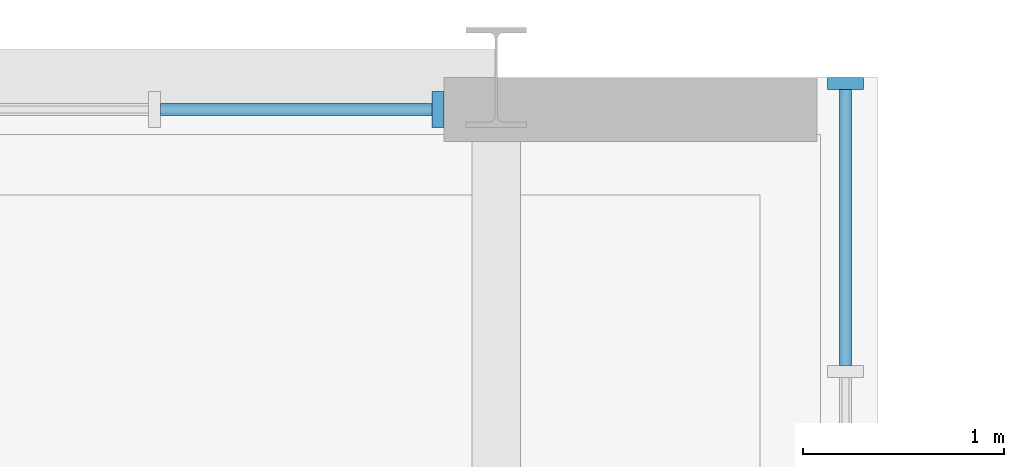
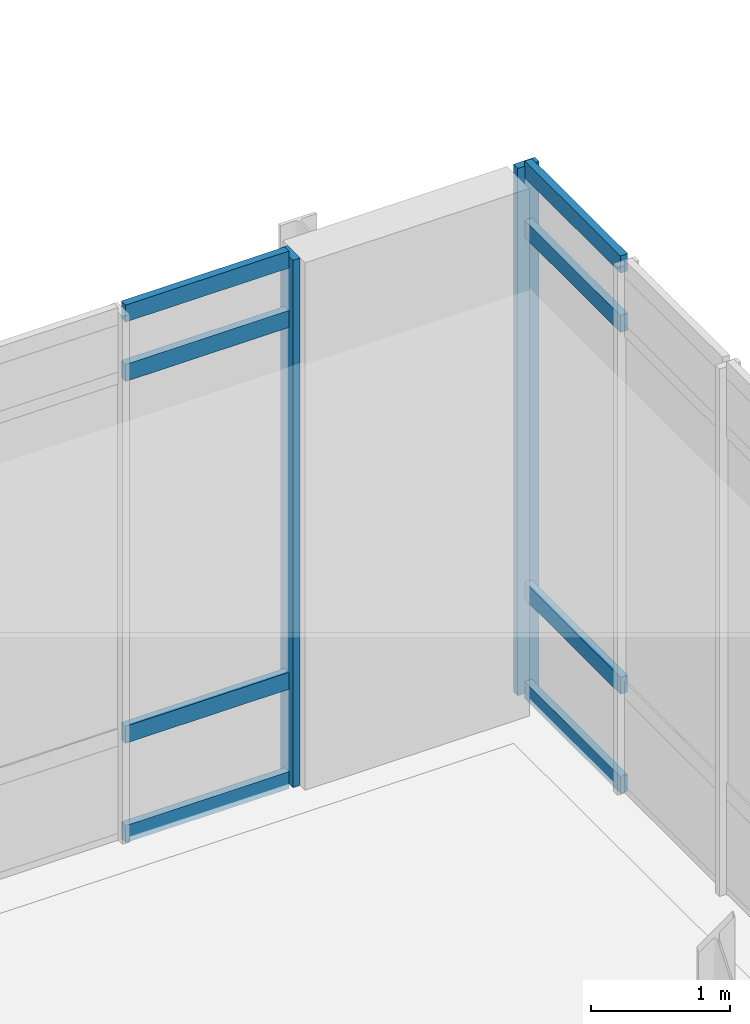
# One storey, part 30 of 86: 10 members, 2 elements without a shape of their own.
"""IFC4 building model written with IfcOpenShell, lengths in metres."""

from ifc_helpers import new_model, si_unit, direction, frame, origin, origin_2d, place, context, subcontext, project, spatial, rectangle, extrude, material, material_profile, profile_set, type_object, element, aggregate, save


model = new_model("IFC4")

# Units and contexts
model_context = context("Model", 3, precision=1e-05, world=origin(), true_north=direction((0.0, 1.0)))
body_context = subcontext(model_context, "Body", "Model", "MODEL_VIEW")
ifc_project = project(units=[si_unit("LENGTHUNIT", "METRE"), si_unit("AREAUNIT", "SQUARE_METRE"), si_unit("VOLUMEUNIT", "CUBIC_METRE"), si_unit("PLANEANGLEUNIT", "RADIAN"), si_unit("MASSUNIT", "GRAM", prefix="KILO")], contexts=[model_context])

# Site, building, storey
site_placement = place(None, origin())
site = spatial("IfcSite", under=ifc_project, at=site_placement, CompositionType="ELEMENT")
building_placement = place(site_placement, origin())
building = spatial("IfcBuilding", under=site, at=building_placement, Name="Cymarion Research Institute", CompositionType="ELEMENT")
storey_placement = place(building_placement, frame((0.0, 0.0, 13.800048828125)))
storey = spatial("IfcBuildingStorey", under=building, at=storey_placement, Name="L03", CompositionType="ELEMENT", Elevation=13.800048828125)

# Curtain wall, member
ifc_material_1 = material(Name="Anodised aluminium unitised curtain wall with Low-E glazing", Category="aluminium")
curtain_wall_type_1 = type_object("IfcCurtainWallType", Name="UNITISED CURTAIN WALL CW28 7320X4620", PredefinedType="NOTDEFINED", material=ifc_material_1)
curtain_wall_1_placement = place(storey_placement, origin())
curtain_wall_1 = element("IfcCurtainWall", 1, at=curtain_wall_1_placement, inside=storey, type_object=curtain_wall_type_1, Name="L03 V2 unitised curtain wall CW28 #141", PredefinedType="NOTDEFINED")
ifc_material_2 = material(Name="Anodised aluminium framing", Category="aluminium")
ifc_material_profile_1 = material_profile(ifc_material_2, rectangle(XDim=0.06005859375, YDim=0.179931640625, at=origin_2d()), Name="ALU MULLION 60x180")
ifc_profile_set_1 = profile_set([ifc_material_profile_1], Name="Anodised aluminium framing")
member_type_1 = type_object("IfcMemberType", Name="CURTAIN WALL MULLION ML01 60X180", PredefinedType="MULLION", material=ifc_profile_set_1)
member_1_placement = place(storey_placement, frame((104.340087890625, 41.469970703125, 0.0), z_axis=(0.0, 0.0, 1.0), x_axis=(0.0, 1.0, 0.0)))
member_1 = element("IfcMember", 2, at=member_1_placement, type_object=member_type_1, Name="CW28 mullion 6", PredefinedType="MULLION", context=body_context, shape_type="SweptSolid", body=[
    extrude(rectangle(XDim=0.06005859375, YDim=0.179931640625, at=origin_2d()), origin(), (0.0, 0.0, 1.0), 4.619873046875),
])

curtain_wall_type_2 = type_object("IfcCurtainWallType", Name="UNITISED CURTAIN WALL CW29 4330X4620", PredefinedType="NOTDEFINED", material=ifc_material_1)
curtain_wall_2_placement = place(storey_placement, origin())
curtain_wall_2 = element("IfcCurtainWall", 3, at=curtain_wall_2_placement, inside=storey, type_object=curtain_wall_type_2, Name="L03 V2 unitised curtain wall CW29 #142", PredefinedType="NOTDEFINED")
member_2_placement = place(storey_placement, frame((102.31005859375, 41.340087890625, 0.0), z_axis=(0.0, 0.0, 1.0), x_axis=(-1.0, 0.0, 0.0)))
member_2 = element("IfcMember", 4, at=member_2_placement, type_object=member_type_1, Name="CW29 mullion 1", PredefinedType="MULLION", context=body_context, shape_type="SweptSolid", body=[
    extrude(rectangle(XDim=0.06005859375, YDim=0.179931640625, at=origin_2d()), origin(), (0.0, 0.0, 1.0), 4.619873046875),
])

# Member
ifc_material_profile_2 = material_profile(ifc_material_2, rectangle(XDim=0.06005859375, YDim=0.14990234375, at=origin_2d()), Name="ALU TRANSOM 60x150")
ifc_profile_set_2 = profile_set([ifc_material_profile_2], Name="Anodised aluminium framing")
member_type_2 = type_object("IfcMemberType", Name="CURTAIN WALL TRANSOM TR01 60X150", PredefinedType="USERDEFINED", material=ifc_profile_set_2)
member_3_placement = place(storey_placement, frame((104.340087890625, 40.06591796875, 0.030029296875), z_axis=(0.0, 1.0, 0.0), x_axis=(-1.0, 0.0, 0.0)))
member_3 = element("IfcMember", 5, at=member_3_placement, type_object=member_type_2, Name="CW28 transom 5.1", ObjectType="TRANSOM", PredefinedType="USERDEFINED", context=body_context, shape_type="SweptSolid", body=[
    extrude(rectangle(XDim=0.06005859375, YDim=0.14990234375, at=origin_2d()), origin(), (0.0, 0.0, 1.0), 1.3740234375),
])

member_4_placement = place(storey_placement, frame((104.340087890625, 40.06591796875, 0.89990234375), z_axis=(0.0, 1.0, 0.0), x_axis=(-1.0, 0.0, 0.0)))
member_4 = element("IfcMember", 6, at=member_4_placement, type_object=member_type_2, Name="CW28 transom 5.2", ObjectType="TRANSOM", PredefinedType="USERDEFINED", context=body_context, shape_type="SweptSolid", body=[
    extrude(rectangle(XDim=0.06005859375, YDim=0.14990234375, at=origin_2d()), origin(), (0.0, 0.0, 1.0), 1.3740234375),
])

member_5_placement = place(storey_placement, frame((104.340087890625, 40.06591796875, 4.070068359375), z_axis=(0.0, 1.0, 0.0), x_axis=(-1.0, 0.0, 0.0)))
member_5 = element("IfcMember", 7, at=member_5_placement, type_object=member_type_2, Name="CW28 transom 5.3", ObjectType="TRANSOM", PredefinedType="USERDEFINED", context=body_context, shape_type="SweptSolid", body=[
    extrude(rectangle(XDim=0.06005859375, YDim=0.14990234375, at=origin_2d()), origin(), (0.0, 0.0, 1.0), 1.3740234375),
])

member_6_placement = place(storey_placement, frame((104.340087890625, 40.06591796875, 4.58984375), z_axis=(0.0, 1.0, 0.0), x_axis=(-1.0, 0.0, 0.0)))
member_6 = element("IfcMember", 8, at=member_6_placement, type_object=member_type_2, Name="CW28 transom 5.4", ObjectType="TRANSOM", PredefinedType="USERDEFINED", context=body_context, shape_type="SweptSolid", body=[
    extrude(rectangle(XDim=0.06005859375, YDim=0.14990234375, at=origin_2d()), origin(), (0.0, 0.0, 1.0), 1.3740234375),
])

aggregate(curtain_wall_1, [member_1, member_3, member_4, member_5, member_6])

member_7_placement = place(storey_placement, frame((102.280029296875, 41.340087890625, 0.030029296875), z_axis=(-1.0, 0.0, 0.0), x_axis=(0.0, -1.0, 0.0)))
member_7 = element("IfcMember", 9, at=member_7_placement, type_object=member_type_2, Name="CW29 transom 1.1", ObjectType="TRANSOM", PredefinedType="USERDEFINED", context=body_context, shape_type="SweptSolid", body=[
    extrude(rectangle(XDim=0.06005859375, YDim=0.14990234375, at=origin_2d()), origin(), (0.0, 0.0, 1.0), 1.35302734375),
])

member_8_placement = place(storey_placement, frame((102.280029296875, 41.340087890625, 0.89990234375), z_axis=(-1.0, 0.0, 0.0), x_axis=(0.0, -1.0, 0.0)))
member_8 = element("IfcMember", 10, at=member_8_placement, type_object=member_type_2, Name="CW29 transom 1.2", ObjectType="TRANSOM", PredefinedType="USERDEFINED", context=body_context, shape_type="SweptSolid", body=[
    extrude(rectangle(XDim=0.06005859375, YDim=0.14990234375, at=origin_2d()), origin(), (0.0, 0.0, 1.0), 1.35302734375),
])

member_9_placement = place(storey_placement, frame((102.280029296875, 41.340087890625, 4.070068359375), z_axis=(-1.0, 0.0, 0.0), x_axis=(0.0, -1.0, 0.0)))
member_9 = element("IfcMember", 11, at=member_9_placement, type_object=member_type_2, Name="CW29 transom 1.3", ObjectType="TRANSOM", PredefinedType="USERDEFINED", context=body_context, shape_type="SweptSolid", body=[
    extrude(rectangle(XDim=0.06005859375, YDim=0.14990234375, at=origin_2d()), origin(), (0.0, 0.0, 1.0), 1.35302734375),
])

member_10_placement = place(storey_placement, frame((102.280029296875, 41.340087890625, 4.58984375), z_axis=(-1.0, 0.0, 0.0), x_axis=(0.0, -1.0, 0.0)))
member_10 = element("IfcMember", 12, at=member_10_placement, type_object=member_type_2, Name="CW29 transom 1.4", ObjectType="TRANSOM", PredefinedType="USERDEFINED", context=body_context, shape_type="SweptSolid", body=[
    extrude(rectangle(XDim=0.06005859375, YDim=0.14990234375, at=origin_2d()), origin(), (0.0, 0.0, 1.0), 1.35302734375),
])

aggregate(curtain_wall_2, [member_2, member_7, member_8, member_9, member_10])

save(model, "model.ifc")
